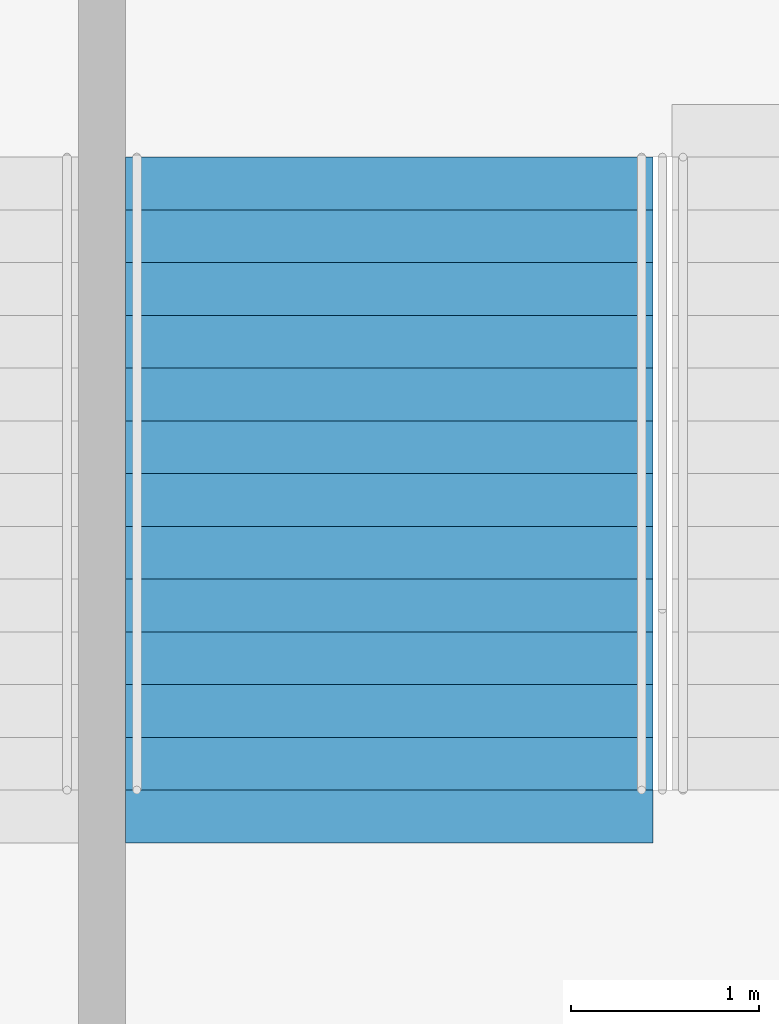
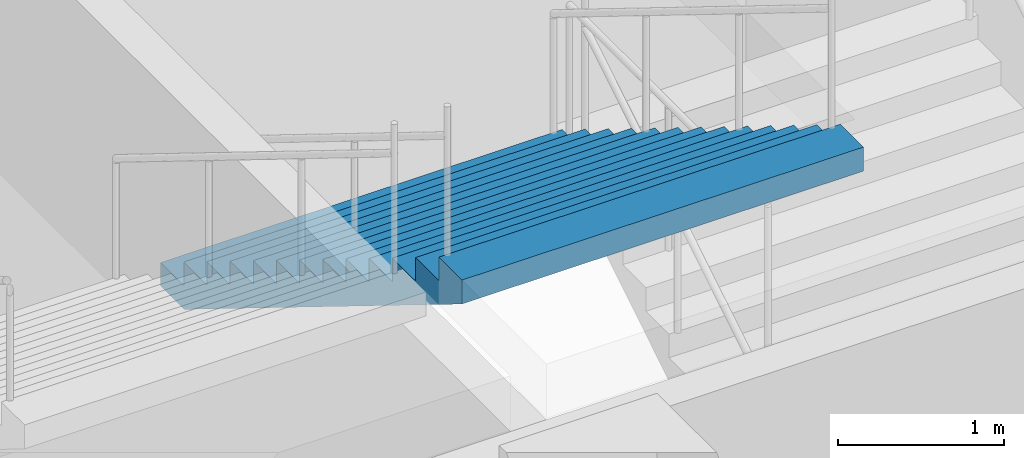
# One storey, part 213 of 249: 1 stair flight, 1 element without a shape of its own.
"""IFC4 building model written with IfcOpenShell, lengths in metres."""

from ifc_helpers import new_model, si_unit, direction, frame, origin, place, context, subcontext, project, spatial, faceted_brep, material, type_object, element, aggregate, save


model = new_model("IFC4")

# Units and contexts
model_context = context("Model", 3, precision=1e-05, world=origin(), true_north=direction((0.0, 1.0)))
body_context = subcontext(model_context, "Body", "Model", "MODEL_VIEW")
ifc_project = project(units=[si_unit("LENGTHUNIT", "METRE"), si_unit("AREAUNIT", "SQUARE_METRE"), si_unit("VOLUMEUNIT", "CUBIC_METRE"), si_unit("PLANEANGLEUNIT", "RADIAN"), si_unit("MASSUNIT", "GRAM", prefix="KILO")], contexts=[model_context])

# Site, building, storey
site_placement = place(None, origin())
site = spatial("IfcSite", under=ifc_project, at=site_placement, CompositionType="ELEMENT")
building_placement = place(site_placement, origin())
building = spatial("IfcBuilding", under=site, at=building_placement, Name="Ogive Plaza Stadium", CompositionType="ELEMENT")
storey_placement = place(building_placement, frame((0.0, 0.0, 13.5)))
storey = spatial("IfcBuildingStorey", under=building, at=storey_placement, Name="L03", CompositionType="ELEMENT", Elevation=13.5)

# Stair, stair flight
ifc_material_1 = material(Name="Concrete C40/50", Category="concrete")
stair_type = type_object("IfcStairType", Name="Exit stair", PredefinedType="STRAIGHT_RUN_STAIR", material=ifc_material_1)
stair_placement = place(storey_placement, origin())
stair = element("IfcStair", 1, at=stair_placement, inside=storey, type_object=stair_type, Name="Exit stair ST34A L03 to L04", PredefinedType="STRAIGHT_RUN_STAIR")
ifc_material_2 = material(Name="Concrete C40/50", Category="concrete")
stair_flight_type = type_object("IfcStairFlightType", Name="Exit stair flight", PredefinedType="STRAIGHT", material=ifc_material_2)
stair_flight_placement = place(storey_placement, frame((-5.27490234375, 98.2099609375, 2.25), z_axis=(0.0, 0.0, 1.0), x_axis=(0.0, -1.0, 0.0)))
stair_flight = element("IfcStairFlight", 2, at=stair_flight_placement, type_object=stair_flight_type, Name="ST34A flight 2", NumberOfRisers=13, NumberOfTreads=12, PredefinedType="STRAIGHT", RiserHeight=0.173076923, TreadLength=0.28, context=body_context, shape_type="Brep", body=[
    faceted_brep([(0.28515625, -1.39990234375, 0.0), (3.639892578125, -1.39990234375, 2.07373046875), (3.639892578125, -1.39990234375, 2.25), (3.360107421875, -1.39990234375, 2.25), (3.360107421875, -1.39990234375, 2.076904296875), (3.080078125, -1.39990234375, 2.076904296875), (3.080078125, -1.39990234375, 1.90380859375), (2.800048828125, -1.39990234375, 1.90380859375), (2.800048828125, -1.39990234375, 1.730712890625), (2.52001953125, -1.39990234375, 1.730712890625), (2.52001953125, -1.39990234375, 1.5576171875), (2.239990234375, -1.39990234375, 1.5576171875), (2.239990234375, -1.39990234375, 1.384521484375), (1.9599609375, -1.39990234375, 1.384521484375), (1.9599609375, -1.39990234375, 1.21142578125), (1.679931640625, -1.39990234375, 1.21142578125), (1.679931640625, -1.39990234375, 1.03857421875), (1.39990234375, -1.39990234375, 1.03857421875), (1.39990234375, -1.39990234375, 0.865478515625), (1.1201171875, -1.39990234375, 0.865478515625), (1.1201171875, -1.39990234375, 0.6923828125), (0.840087890625, -1.39990234375, 0.6923828125), (0.840087890625, -1.39990234375, 0.519287109375), (0.56005859375, -1.39990234375, 0.519287109375), (0.56005859375, -1.39990234375, 0.34619140625), (0.280029296875, -1.39990234375, 0.34619140625), (0.280029296875, -1.39990234375, 0.173095703125), (0.0, -1.39990234375, 0.173095703125), (0.0, -1.39990234375, 0.0), (0.0, 1.39990234375, 0.0), (0.0, 1.39990234375, 0.173095703125), (0.280029296875, 1.39990234375, 0.173095703125), (0.280029296875, 1.39990234375, 0.34619140625), (0.56005859375, 1.39990234375, 0.34619140625), (0.56005859375, 1.39990234375, 0.519287109375), (0.840087890625, 1.39990234375, 0.519287109375), (0.840087890625, 1.39990234375, 0.6923828125), (1.1201171875, 1.39990234375, 0.6923828125), (1.1201171875, 1.39990234375, 0.865478515625), (1.39990234375, 1.39990234375, 0.865478515625), (1.39990234375, 1.39990234375, 1.03857421875), (1.679931640625, 1.39990234375, 1.03857421875), (1.679931640625, 1.39990234375, 1.21142578125), (1.9599609375, 1.39990234375, 1.21142578125), (1.9599609375, 1.39990234375, 1.384521484375), (2.239990234375, 1.39990234375, 1.384521484375), (2.239990234375, 1.39990234375, 1.5576171875), (2.52001953125, 1.39990234375, 1.5576171875), (2.52001953125, 1.39990234375, 1.730712890625), (2.800048828125, 1.39990234375, 1.730712890625), (2.800048828125, 1.39990234375, 1.90380859375), (3.080078125, 1.39990234375, 1.90380859375), (3.080078125, 1.39990234375, 2.076904296875), (3.360107421875, 1.39990234375, 2.076904296875), (3.360107421875, 1.39990234375, 2.25), (3.639892578125, 1.39990234375, 2.25), (3.639892578125, 1.39990234375, 2.07373046875), (0.28515625, 1.39990234375, 0.0), (0.28515625, -1.0888671875, 0.0), (3.639892578125, -1.0888671875, 2.07373046875), (0.28515625, -0.77783203125, 0.0), (3.639892578125, -0.77783203125, 2.07373046875), (0.28515625, -0.466796875, 0.0), (3.639892578125, -0.466796875, 2.07373046875), (0.28515625, -0.155517578125, 0.0), (3.639892578125, -0.155517578125, 2.07373046875), (0.28515625, 0.155517578125, 0.0), (3.639892578125, 0.155517578125, 2.07373046875), (0.28515625, 0.466796875, 0.0), (3.639892578125, 0.466796875, 2.07373046875), (0.28515625, 0.77783203125, 0.0), (3.639892578125, 0.77783203125, 2.07373046875), (0.28515625, 1.0888671875, 0.0), (3.639892578125, 1.0888671875, 2.07373046875), (3.639892578125, -1.0888671875, 2.25), (3.639892578125, -0.77783203125, 2.25), (3.639892578125, -0.466796875, 2.25), (3.639892578125, -0.155517578125, 2.25), (3.639892578125, 0.155517578125, 2.25), (3.639892578125, 0.466796875, 2.25), (3.639892578125, 0.77783203125, 2.25), (3.639892578125, 1.0888671875, 2.25), (3.360107421875, -1.0888671875, 2.25), (3.360107421875, -0.77783203125, 2.25), (3.360107421875, -0.466796875, 2.25), (3.360107421875, -0.155517578125, 2.25), (3.360107421875, 0.155517578125, 2.25), (3.360107421875, 0.466796875, 2.25), (3.360107421875, 0.77783203125, 2.25), (3.360107421875, 1.0888671875, 2.25), (3.360107421875, -1.0888671875, 2.076904296875), (3.360107421875, -0.77783203125, 2.076904296875), (3.360107421875, -0.466796875, 2.076904296875), (3.360107421875, -0.155517578125, 2.076904296875), (3.360107421875, 0.155517578125, 2.076904296875), (3.360107421875, 0.466796875, 2.076904296875), (3.360107421875, 0.77783203125, 2.076904296875), (3.360107421875, 1.0888671875, 2.076904296875), (3.080078125, -1.0888671875, 2.076904296875), (3.080078125, -0.77783203125, 2.076904296875), (3.080078125, -0.466796875, 2.076904296875), (3.080078125, -0.155517578125, 2.076904296875), (3.080078125, 0.155517578125, 2.076904296875), (3.080078125, 0.466796875, 2.076904296875), (3.080078125, 0.77783203125, 2.076904296875), (3.080078125, 1.0888671875, 2.076904296875), (3.080078125, -1.0888671875, 1.90380859375), (3.080078125, -0.77783203125, 1.90380859375), (3.080078125, -0.466796875, 1.90380859375), (3.080078125, -0.155517578125, 1.90380859375), (3.080078125, 0.155517578125, 1.90380859375), (3.080078125, 0.466796875, 1.90380859375), (3.080078125, 0.77783203125, 1.90380859375), (3.080078125, 1.0888671875, 1.90380859375), (2.800048828125, -1.0888671875, 1.90380859375), (2.800048828125, -0.77783203125, 1.90380859375), (2.800048828125, -0.466796875, 1.90380859375), (2.800048828125, -0.155517578125, 1.90380859375), (2.800048828125, 0.155517578125, 1.90380859375), (2.800048828125, 0.466796875, 1.90380859375), (2.800048828125, 0.77783203125, 1.90380859375), (2.800048828125, 1.0888671875, 1.90380859375), (2.800048828125, -1.0888671875, 1.730712890625), (2.800048828125, -0.77783203125, 1.730712890625), (2.800048828125, -0.466796875, 1.730712890625), (2.800048828125, -0.155517578125, 1.730712890625), (2.800048828125, 0.155517578125, 1.730712890625), (2.800048828125, 0.466796875, 1.730712890625), (2.800048828125, 0.77783203125, 1.730712890625), (2.800048828125, 1.0888671875, 1.730712890625), (2.52001953125, -1.0888671875, 1.730712890625), (2.52001953125, -0.77783203125, 1.730712890625), (2.52001953125, -0.466796875, 1.730712890625), (2.52001953125, -0.155517578125, 1.730712890625), (2.52001953125, 0.155517578125, 1.730712890625), (2.52001953125, 0.466796875, 1.730712890625), (2.52001953125, 0.77783203125, 1.730712890625), (2.52001953125, 1.0888671875, 1.730712890625), (2.52001953125, -1.0888671875, 1.5576171875), (2.52001953125, -0.77783203125, 1.5576171875), (2.52001953125, -0.466796875, 1.5576171875), (2.52001953125, -0.155517578125, 1.5576171875), (2.52001953125, 0.155517578125, 1.5576171875), (2.52001953125, 0.466796875, 1.5576171875), (2.52001953125, 0.77783203125, 1.5576171875), (2.52001953125, 1.0888671875, 1.5576171875), (2.239990234375, -1.0888671875, 1.5576171875), (2.239990234375, -0.77783203125, 1.5576171875), (2.239990234375, -0.466796875, 1.5576171875), (2.239990234375, -0.155517578125, 1.5576171875), (2.239990234375, 0.155517578125, 1.5576171875), (2.239990234375, 0.466796875, 1.5576171875), (2.239990234375, 0.77783203125, 1.5576171875), (2.239990234375, 1.0888671875, 1.5576171875), (2.239990234375, -1.0888671875, 1.384521484375), (2.239990234375, -0.77783203125, 1.384521484375), (2.239990234375, -0.466796875, 1.384521484375), (2.239990234375, -0.155517578125, 1.384521484375), (2.239990234375, 0.155517578125, 1.384521484375), (2.239990234375, 0.466796875, 1.384521484375), (2.239990234375, 0.77783203125, 1.384521484375), (2.239990234375, 1.0888671875, 1.384521484375), (1.9599609375, -1.0888671875, 1.384521484375), (1.9599609375, -0.77783203125, 1.384521484375), (1.9599609375, -0.466796875, 1.384521484375), (1.9599609375, -0.155517578125, 1.384521484375), (1.9599609375, 0.155517578125, 1.384521484375), (1.9599609375, 0.466796875, 1.384521484375), (1.9599609375, 0.77783203125, 1.384521484375), (1.9599609375, 1.0888671875, 1.384521484375), (1.9599609375, -1.0888671875, 1.21142578125), (1.9599609375, -0.77783203125, 1.21142578125), (1.9599609375, -0.466796875, 1.21142578125), (1.9599609375, -0.155517578125, 1.21142578125), (1.9599609375, 0.155517578125, 1.21142578125), (1.9599609375, 0.466796875, 1.21142578125), (1.9599609375, 0.77783203125, 1.21142578125), (1.9599609375, 1.0888671875, 1.21142578125), (1.679931640625, -1.0888671875, 1.21142578125), (1.679931640625, -0.77783203125, 1.21142578125), (1.679931640625, -0.466796875, 1.21142578125), (1.679931640625, -0.155517578125, 1.21142578125), (1.679931640625, 0.155517578125, 1.21142578125), (1.679931640625, 0.466796875, 1.21142578125), (1.679931640625, 0.77783203125, 1.21142578125), (1.679931640625, 1.0888671875, 1.21142578125), (1.679931640625, -1.0888671875, 1.03857421875), (1.679931640625, -0.77783203125, 1.03857421875), (1.679931640625, -0.466796875, 1.03857421875), (1.679931640625, -0.155517578125, 1.03857421875), (1.679931640625, 0.155517578125, 1.03857421875), (1.679931640625, 0.466796875, 1.03857421875), (1.679931640625, 0.77783203125, 1.03857421875), (1.679931640625, 1.0888671875, 1.03857421875), (1.39990234375, -1.0888671875, 1.03857421875), (1.39990234375, -0.77783203125, 1.03857421875), (1.39990234375, -0.466796875, 1.03857421875), (1.39990234375, -0.155517578125, 1.03857421875), (1.39990234375, 0.155517578125, 1.03857421875), (1.39990234375, 0.466796875, 1.03857421875), (1.39990234375, 0.77783203125, 1.03857421875), (1.39990234375, 1.0888671875, 1.03857421875), (1.39990234375, -1.0888671875, 0.865478515625), (1.39990234375, -0.77783203125, 0.865478515625), (1.39990234375, -0.466796875, 0.865478515625), (1.39990234375, -0.155517578125, 0.865478515625), (1.39990234375, 0.155517578125, 0.865478515625), (1.39990234375, 0.466796875, 0.865478515625), (1.39990234375, 0.77783203125, 0.865478515625), (1.39990234375, 1.0888671875, 0.865478515625), (1.1201171875, -1.0888671875, 0.865478515625), (1.1201171875, -0.77783203125, 0.865478515625), (1.1201171875, -0.466796875, 0.865478515625), (1.1201171875, -0.155517578125, 0.865478515625), (1.1201171875, 0.155517578125, 0.865478515625), (1.1201171875, 0.466796875, 0.865478515625), (1.1201171875, 0.77783203125, 0.865478515625), (1.1201171875, 1.0888671875, 0.865478515625), (1.1201171875, -1.0888671875, 0.6923828125), (1.1201171875, -0.77783203125, 0.6923828125), (1.1201171875, -0.466796875, 0.6923828125), (1.1201171875, -0.155517578125, 0.6923828125), (1.1201171875, 0.155517578125, 0.6923828125), (1.1201171875, 0.466796875, 0.6923828125), (1.1201171875, 0.77783203125, 0.6923828125), (1.1201171875, 1.0888671875, 0.6923828125), (0.840087890625, -1.0888671875, 0.6923828125), (0.840087890625, -0.77783203125, 0.6923828125), (0.840087890625, -0.466796875, 0.6923828125), (0.840087890625, -0.155517578125, 0.6923828125), (0.840087890625, 0.155517578125, 0.6923828125), (0.840087890625, 0.466796875, 0.6923828125), (0.840087890625, 0.77783203125, 0.6923828125), (0.840087890625, 1.0888671875, 0.6923828125), (0.840087890625, -1.0888671875, 0.519287109375), (0.840087890625, -0.77783203125, 0.519287109375), (0.840087890625, -0.466796875, 0.519287109375), (0.840087890625, -0.155517578125, 0.519287109375), (0.840087890625, 0.155517578125, 0.519287109375), (0.840087890625, 0.466796875, 0.519287109375), (0.840087890625, 0.77783203125, 0.519287109375), (0.840087890625, 1.0888671875, 0.519287109375), (0.56005859375, -1.0888671875, 0.519287109375), (0.56005859375, -0.77783203125, 0.519287109375), (0.56005859375, -0.466796875, 0.519287109375), (0.56005859375, -0.155517578125, 0.519287109375), (0.56005859375, 0.155517578125, 0.519287109375), (0.56005859375, 0.466796875, 0.519287109375), (0.56005859375, 0.77783203125, 0.519287109375), (0.56005859375, 1.0888671875, 0.519287109375), (0.56005859375, -1.0888671875, 0.34619140625), (0.56005859375, -0.77783203125, 0.34619140625), (0.56005859375, -0.466796875, 0.34619140625), (0.56005859375, -0.155517578125, 0.34619140625), (0.56005859375, 0.155517578125, 0.34619140625), (0.56005859375, 0.466796875, 0.34619140625), (0.56005859375, 0.77783203125, 0.34619140625), (0.56005859375, 1.0888671875, 0.34619140625), (0.280029296875, -1.0888671875, 0.34619140625), (0.280029296875, -0.77783203125, 0.34619140625), (0.280029296875, -0.466796875, 0.34619140625), (0.280029296875, -0.155517578125, 0.34619140625), (0.280029296875, 0.155517578125, 0.34619140625), (0.280029296875, 0.466796875, 0.34619140625), (0.280029296875, 0.77783203125, 0.34619140625), (0.280029296875, 1.0888671875, 0.34619140625), (0.280029296875, -1.0888671875, 0.173095703125), (0.280029296875, -0.77783203125, 0.173095703125), (0.280029296875, -0.466796875, 0.173095703125), (0.280029296875, -0.155517578125, 0.173095703125), (0.280029296875, 0.155517578125, 0.173095703125), (0.280029296875, 0.466796875, 0.173095703125), (0.280029296875, 0.77783203125, 0.173095703125), (0.280029296875, 1.0888671875, 0.173095703125), (0.0, -1.0888671875, 0.173095703125), (0.0, -0.77783203125, 0.173095703125), (0.0, -0.466796875, 0.173095703125), (0.0, -0.155517578125, 0.173095703125), (0.0, 0.155517578125, 0.173095703125), (0.0, 0.466796875, 0.173095703125), (0.0, 0.77783203125, 0.173095703125), (0.0, 1.0888671875, 0.173095703125), (0.0, -1.0888671875, 0.0), (0.0, -0.77783203125, 0.0), (0.0, -0.466796875, 0.0), (0.0, -0.155517578125, 0.0), (0.0, 0.155517578125, 0.0), (0.0, 0.466796875, 0.0), (0.0, 0.77783203125, 0.0), (0.0, 1.0888671875, 0.0)], [[[0, 1, 2, 3, 4, 5, 6, 7, 8, 9, 10, 11, 12, 13, 14, 15, 16, 17, 18, 19, 20, 21, 22, 23, 24, 25, 26, 27, 28]], [[29, 30, 31, 32, 33, 34, 35, 36, 37, 38, 39, 40, 41, 42, 43, 44, 45, 46, 47, 48, 49, 50, 51, 52, 53, 54, 55, 56, 57]], [[0, 58, 59, 1]], [[58, 60, 61, 59]], [[60, 62, 63, 61]], [[62, 64, 65, 63]], [[64, 66, 67, 65]], [[66, 68, 69, 67]], [[68, 70, 71, 69]], [[70, 72, 73, 71]], [[72, 57, 56, 73]], [[1, 59, 74, 2]], [[59, 61, 75, 74]], [[61, 63, 76, 75]], [[63, 65, 77, 76]], [[65, 67, 78, 77]], [[67, 69, 79, 78]], [[69, 71, 80, 79]], [[71, 73, 81, 80]], [[73, 56, 55, 81]], [[2, 74, 82, 3]], [[74, 75, 83, 82]], [[75, 76, 84, 83]], [[76, 77, 85, 84]], [[77, 78, 86, 85]], [[78, 79, 87, 86]], [[79, 80, 88, 87]], [[80, 81, 89, 88]], [[81, 55, 54, 89]], [[3, 82, 90, 4]], [[82, 83, 91, 90]], [[83, 84, 92, 91]], [[84, 85, 93, 92]], [[85, 86, 94, 93]], [[86, 87, 95, 94]], [[87, 88, 96, 95]], [[88, 89, 97, 96]], [[89, 54, 53, 97]], [[4, 90, 98, 5]], [[90, 91, 99, 98]], [[91, 92, 100, 99]], [[92, 93, 101, 100]], [[93, 94, 102, 101]], [[94, 95, 103, 102]], [[95, 96, 104, 103]], [[96, 97, 105, 104]], [[97, 53, 52, 105]], [[5, 98, 106, 6]], [[98, 99, 107, 106]], [[99, 100, 108, 107]], [[100, 101, 109, 108]], [[101, 102, 110, 109]], [[102, 103, 111, 110]], [[103, 104, 112, 111]], [[104, 105, 113, 112]], [[105, 52, 51, 113]], [[6, 106, 114, 7]], [[106, 107, 115, 114]], [[107, 108, 116, 115]], [[108, 109, 117, 116]], [[109, 110, 118, 117]], [[110, 111, 119, 118]], [[111, 112, 120, 119]], [[112, 113, 121, 120]], [[113, 51, 50, 121]], [[7, 114, 122, 8]], [[114, 115, 123, 122]], [[115, 116, 124, 123]], [[116, 117, 125, 124]], [[117, 118, 126, 125]], [[118, 119, 127, 126]], [[119, 120, 128, 127]], [[120, 121, 129, 128]], [[121, 50, 49, 129]], [[8, 122, 130, 9]], [[122, 123, 131, 130]], [[123, 124, 132, 131]], [[124, 125, 133, 132]], [[125, 126, 134, 133]], [[126, 127, 135, 134]], [[127, 128, 136, 135]], [[128, 129, 137, 136]], [[129, 49, 48, 137]], [[9, 130, 138, 10]], [[130, 131, 139, 138]], [[131, 132, 140, 139]], [[132, 133, 141, 140]], [[133, 134, 142, 141]], [[134, 135, 143, 142]], [[135, 136, 144, 143]], [[136, 137, 145, 144]], [[137, 48, 47, 145]], [[10, 138, 146, 11]], [[138, 139, 147, 146]], [[139, 140, 148, 147]], [[140, 141, 149, 148]], [[141, 142, 150, 149]], [[142, 143, 151, 150]], [[143, 144, 152, 151]], [[144, 145, 153, 152]], [[145, 47, 46, 153]], [[11, 146, 154, 12]], [[146, 147, 155, 154]], [[147, 148, 156, 155]], [[148, 149, 157, 156]], [[149, 150, 158, 157]], [[150, 151, 159, 158]], [[151, 152, 160, 159]], [[152, 153, 161, 160]], [[153, 46, 45, 161]], [[12, 154, 162, 13]], [[154, 155, 163, 162]], [[155, 156, 164, 163]], [[156, 157, 165, 164]], [[157, 158, 166, 165]], [[158, 159, 167, 166]], [[159, 160, 168, 167]], [[160, 161, 169, 168]], [[161, 45, 44, 169]], [[13, 162, 170, 14]], [[162, 163, 171, 170]], [[163, 164, 172, 171]], [[164, 165, 173, 172]], [[165, 166, 174, 173]], [[166, 167, 175, 174]], [[167, 168, 176, 175]], [[168, 169, 177, 176]], [[169, 44, 43, 177]], [[14, 170, 178, 15]], [[170, 171, 179, 178]], [[171, 172, 180, 179]], [[172, 173, 181, 180]], [[173, 174, 182, 181]], [[174, 175, 183, 182]], [[175, 176, 184, 183]], [[176, 177, 185, 184]], [[177, 43, 42, 185]], [[15, 178, 186, 16]], [[178, 179, 187, 186]], [[179, 180, 188, 187]], [[180, 181, 189, 188]], [[181, 182, 190, 189]], [[182, 183, 191, 190]], [[183, 184, 192, 191]], [[184, 185, 193, 192]], [[185, 42, 41, 193]], [[16, 186, 194, 17]], [[186, 187, 195, 194]], [[187, 188, 196, 195]], [[188, 189, 197, 196]], [[189, 190, 198, 197]], [[190, 191, 199, 198]], [[191, 192, 200, 199]], [[192, 193, 201, 200]], [[193, 41, 40, 201]], [[17, 194, 202, 18]], [[194, 195, 203, 202]], [[195, 196, 204, 203]], [[196, 197, 205, 204]], [[197, 198, 206, 205]], [[198, 199, 207, 206]], [[199, 200, 208, 207]], [[200, 201, 209, 208]], [[201, 40, 39, 209]], [[18, 202, 210, 19]], [[202, 203, 211, 210]], [[203, 204, 212, 211]], [[204, 205, 213, 212]], [[205, 206, 214, 213]], [[206, 207, 215, 214]], [[207, 208, 216, 215]], [[208, 209, 217, 216]], [[209, 39, 38, 217]], [[19, 210, 218, 20]], [[210, 211, 219, 218]], [[211, 212, 220, 219]], [[212, 213, 221, 220]], [[213, 214, 222, 221]], [[214, 215, 223, 222]], [[215, 216, 224, 223]], [[216, 217, 225, 224]], [[217, 38, 37, 225]], [[20, 218, 226, 21]], [[218, 219, 227, 226]], [[219, 220, 228, 227]], [[220, 221, 229, 228]], [[221, 222, 230, 229]], [[222, 223, 231, 230]], [[223, 224, 232, 231]], [[224, 225, 233, 232]], [[225, 37, 36, 233]], [[21, 226, 234, 22]], [[226, 227, 235, 234]], [[227, 228, 236, 235]], [[228, 229, 237, 236]], [[229, 230, 238, 237]], [[230, 231, 239, 238]], [[231, 232, 240, 239]], [[232, 233, 241, 240]], [[233, 36, 35, 241]], [[22, 234, 242, 23]], [[234, 235, 243, 242]], [[235, 236, 244, 243]], [[236, 237, 245, 244]], [[237, 238, 246, 245]], [[238, 239, 247, 246]], [[239, 240, 248, 247]], [[240, 241, 249, 248]], [[241, 35, 34, 249]], [[23, 242, 250, 24]], [[242, 243, 251, 250]], [[243, 244, 252, 251]], [[244, 245, 253, 252]], [[245, 246, 254, 253]], [[246, 247, 255, 254]], [[247, 248, 256, 255]], [[248, 249, 257, 256]], [[249, 34, 33, 257]], [[24, 250, 258, 25]], [[250, 251, 259, 258]], [[251, 252, 260, 259]], [[252, 253, 261, 260]], [[253, 254, 262, 261]], [[254, 255, 263, 262]], [[255, 256, 264, 263]], [[256, 257, 265, 264]], [[257, 33, 32, 265]], [[25, 258, 266, 26]], [[258, 259, 267, 266]], [[259, 260, 268, 267]], [[260, 261, 269, 268]], [[261, 262, 270, 269]], [[262, 263, 271, 270]], [[263, 264, 272, 271]], [[264, 265, 273, 272]], [[265, 32, 31, 273]], [[26, 266, 274, 27]], [[266, 267, 275, 274]], [[267, 268, 276, 275]], [[268, 269, 277, 276]], [[269, 270, 278, 277]], [[270, 271, 279, 278]], [[271, 272, 280, 279]], [[272, 273, 281, 280]], [[273, 31, 30, 281]], [[27, 274, 282, 28]], [[274, 275, 283, 282]], [[275, 276, 284, 283]], [[276, 277, 285, 284]], [[277, 278, 286, 285]], [[278, 279, 287, 286]], [[279, 280, 288, 287]], [[280, 281, 289, 288]], [[281, 30, 29, 289]], [[28, 282, 58, 0]], [[282, 283, 60, 58]], [[283, 284, 62, 60]], [[284, 285, 64, 62]], [[285, 286, 66, 64]], [[286, 287, 68, 66]], [[287, 288, 70, 68]], [[288, 289, 72, 70]], [[289, 29, 57, 72]]]),
])
aggregate(stair, [stair_flight])

save(model, "model.ifc")
